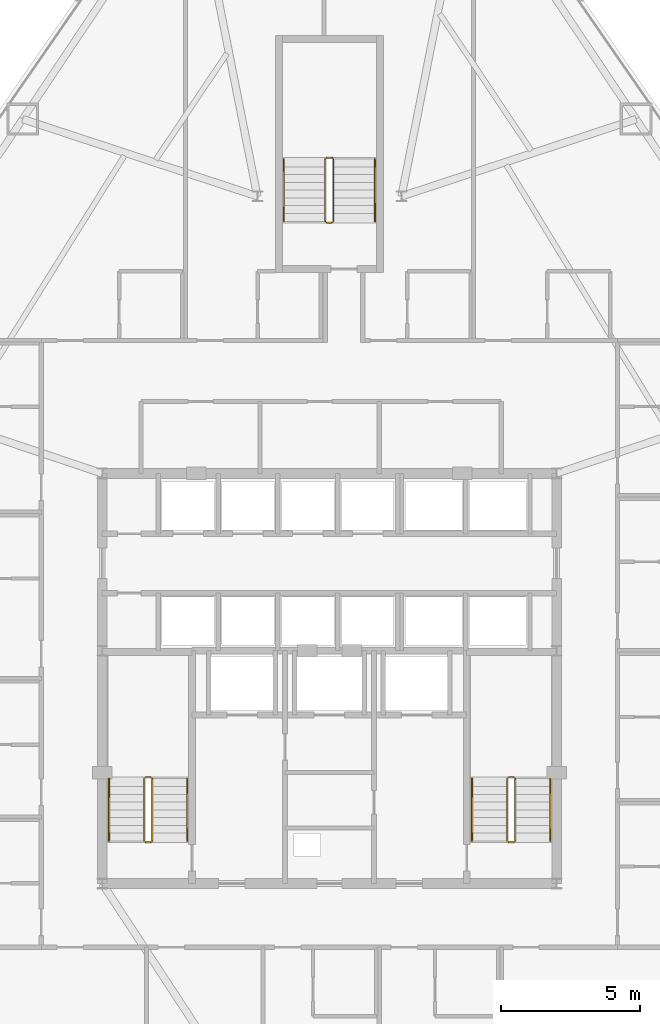
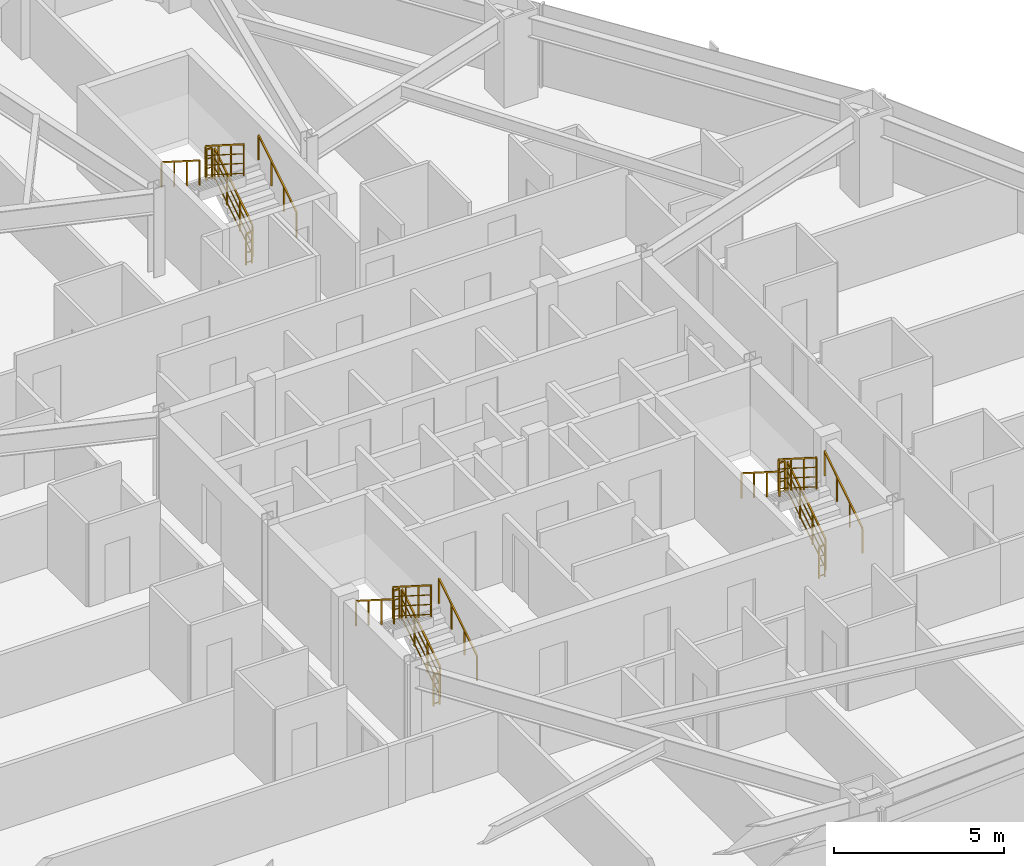
# One storey, part 13 of 13: 18 railings.
"""IFC4 building model written with IfcOpenShell, lengths in metres."""

from ifc_helpers import new_model, si_unit, direction, frame, origin, origin_2d, place, context, subcontext, project, spatial, rectangle, extrude, material, type_object, element, save


model = new_model("IFC4")

# Units and contexts
model_context = context("Model", 3, precision=1e-05, world=origin(), true_north=direction((0.0, 1.0)))
body_context = subcontext(model_context, "Body", "Model", "MODEL_VIEW")
ifc_project = project(units=[si_unit("LENGTHUNIT", "METRE"), si_unit("AREAUNIT", "SQUARE_METRE"), si_unit("VOLUMEUNIT", "CUBIC_METRE"), si_unit("PLANEANGLEUNIT", "RADIAN"), si_unit("MASSUNIT", "GRAM", prefix="KILO")], contexts=[model_context])

# Site, building, storey
site_placement = place(None, origin())
site = spatial("IfcSite", under=ifc_project, at=site_placement, CompositionType="ELEMENT")
building_placement = place(site_placement, origin())
building = spatial("IfcBuilding", under=site, at=building_placement, Name="Varakhsha Concourse Tower", CompositionType="ELEMENT")
storey_placement = place(building_placement, frame((0.0, 0.0, 52.800048828125)))
storey = spatial("IfcBuildingStorey", under=building, at=storey_placement, Name="L14", CompositionType="ELEMENT", Elevation=52.800048828125)

# Railings
ifc_material = material(Name="Brushed Austenitic Stainless Steel AISI 316", Category="steel")
railing_type_1 = type_object("IfcRailingType", Name="RL-STAIR-GUARD-1100", PredefinedType="GUARDRAIL", material=ifc_material)
railing_1_placement = place(storey_placement, frame((33.610107421875, 17.93994140625, 0.177734375)))
element("IfcRailing", 1, at=railing_1_placement, inside=storey, type_object=railing_type_1, Name="L14 ST1 stair guard 1", PredefinedType="GUARDRAIL", context=body_context, shape_type="SweptSolid", body=[
    extrude(rectangle(XDim=0.048095703125, YDim=0.048095703125, at=origin_2d()), frame((0.0, 0.0, 1.1259765625), z_axis=(0.0, 0.8442293374, 0.53598211339), x_axis=(-1.0, 0.0, 0.0)), (0.0, 0.0, 1.0), 2.6533203125),
    extrude(rectangle(XDim=0.028076171875, YDim=0.028076171875, at=origin_2d()), frame((0.0, 0.0, 0.080078125), z_axis=(0.0, 0.8442293374, 0.53598211339), x_axis=(-1.0, 0.0, 0.0)), (0.0, 0.0, 1.0), 2.6533203125),
    extrude(rectangle(XDim=0.028076171875, YDim=0.028076171875, at=origin_2d()), frame((0.0, 0.0, 0.43701171875), z_axis=(0.0, 0.8442293374, 0.53598211339), x_axis=(-1.0, 0.0, 0.0)), (0.0, 0.0, 1.0), 2.6533203125),
    extrude(rectangle(XDim=0.028076171875, YDim=0.028076171875, at=origin_2d()), frame((0.0, 0.0, 0.781982421875), z_axis=(0.0, 0.8442293374, 0.53598211339), x_axis=(-1.0, 0.0, 0.0)), (0.0, 0.0, 1.0), 2.6533203125),
    extrude(rectangle(XDim=0.0419921875, YDim=0.0419921875, at=origin_2d()), origin(), (0.0, 0.0, 1.0), 1.101806640625),
    extrude(rectangle(XDim=0.0419921875, YDim=0.0419921875, at=origin_2d()), frame((0.0, 0.74658203125, 0.47412109375)), (0.0, 0.0, 1.0), 1.101806640625),
    extrude(rectangle(XDim=0.0419921875, YDim=0.0419921875, at=origin_2d()), frame((0.0, 1.493408203125, 0.947998046875)), (0.0, 0.0, 1.0), 1.101806640625),
    extrude(rectangle(XDim=0.0419921875, YDim=0.0419921875, at=origin_2d()), frame((0.0, 2.239990234375, 1.422119140625)), (0.0, 0.0, 1.0), 1.101806640625),
])
railing_2_placement = place(storey_placement, frame((33.56005859375, 20.22998046875, 1.599853515625)))
element("IfcRailing", 2, at=railing_2_placement, inside=storey, type_object=railing_type_1, Name="L14 ST1 stair guard 2", PredefinedType="GUARDRAIL", context=body_context, shape_type="SweptSolid", body=[
    extrude(rectangle(XDim=0.048095703125, YDim=0.048095703125, at=origin_2d()), frame((0.0, 0.0, 1.1259765625), z_axis=(-1.0, 0.0, 0.0), x_axis=(0.0, -1.0, 0.0)), (0.0, 0.0, 1.0), 0.199951171875),
    extrude(rectangle(XDim=0.028076171875, YDim=0.028076171875, at=origin_2d()), frame((0.0, 0.0, 0.080078125), z_axis=(-1.0, 0.0, 0.0), x_axis=(0.0, -1.0, 0.0)), (0.0, 0.0, 1.0), 0.199951171875),
    extrude(rectangle(XDim=0.028076171875, YDim=0.028076171875, at=origin_2d()), frame((0.0, 0.0, 0.43701171875), z_axis=(-1.0, 0.0, 0.0), x_axis=(0.0, -1.0, 0.0)), (0.0, 0.0, 1.0), 0.199951171875),
    extrude(rectangle(XDim=0.028076171875, YDim=0.028076171875, at=origin_2d()), frame((0.0, 0.0, 0.781982421875), z_axis=(-1.0, 0.0, 0.0), x_axis=(0.0, -1.0, 0.0)), (0.0, 0.0, 1.0), 0.199951171875),
    extrude(rectangle(XDim=0.0419921875, YDim=0.0419921875, at=origin_2d()), origin(), (0.0, 0.0, 1.0), 1.101806640625),
    extrude(rectangle(XDim=0.0419921875, YDim=0.0419921875, at=origin_2d()), frame((-0.199951171875, 0.0, 0.0)), (0.0, 0.0, 1.0), 1.101806640625),
])
railing_3_placement = place(storey_placement, frame((33.31005859375, 20.179931640625, 1.77783203125)))
element("IfcRailing", 3, at=railing_3_placement, inside=storey, type_object=railing_type_1, Name="L14 ST1 stair guard 3", PredefinedType="GUARDRAIL", context=body_context, shape_type="SweptSolid", body=[
    extrude(rectangle(XDim=0.048095703125, YDim=0.048095703125, at=origin_2d()), frame((0.0, 0.0, 1.1259765625), z_axis=(0.0, -0.8442293374, 0.53598211339), x_axis=(1.0, 0.0, 0.0)), (0.0, 0.0, 1.0), 2.6533203125),
    extrude(rectangle(XDim=0.028076171875, YDim=0.028076171875, at=origin_2d()), frame((0.0, 0.0, 0.080078125), z_axis=(0.0, -0.8442293374, 0.53598211339), x_axis=(1.0, 0.0, 0.0)), (0.0, 0.0, 1.0), 2.6533203125),
    extrude(rectangle(XDim=0.028076171875, YDim=0.028076171875, at=origin_2d()), frame((0.0, 0.0, 0.43701171875), z_axis=(0.0, -0.8442293374, 0.53598211339), x_axis=(1.0, 0.0, 0.0)), (0.0, 0.0, 1.0), 2.6533203125),
    extrude(rectangle(XDim=0.028076171875, YDim=0.028076171875, at=origin_2d()), frame((0.0, 0.0, 0.781982421875), z_axis=(0.0, -0.8442293374, 0.53598211339), x_axis=(1.0, 0.0, 0.0)), (0.0, 0.0, 1.0), 2.6533203125),
    extrude(rectangle(XDim=0.0419921875, YDim=0.0419921875, at=origin_2d()), origin(), (0.0, 0.0, 1.0), 1.101806640625),
    extrude(rectangle(XDim=0.0419921875, YDim=0.0419921875, at=origin_2d()), frame((0.0, -0.74658203125, 0.47412109375)), (0.0, 0.0, 1.0), 1.101806640625),
    extrude(rectangle(XDim=0.0419921875, YDim=0.0419921875, at=origin_2d()), frame((0.0, -1.493408203125, 0.947998046875)), (0.0, 0.0, 1.0), 1.101806640625),
    extrude(rectangle(XDim=0.0419921875, YDim=0.0419921875, at=origin_2d()), frame((0.0, -2.239990234375, 1.422119140625)), (0.0, 0.0, 1.0), 1.101806640625),
])
railing_4_placement = place(storey_placement, frame((33.56005859375, 17.889892578125, 0.0)))
element("IfcRailing", 4, at=railing_4_placement, inside=storey, type_object=railing_type_1, Name="L14 ST1 stair guard 4", PredefinedType="GUARDRAIL", context=body_context, shape_type="SweptSolid", body=[
    extrude(rectangle(XDim=0.048095703125, YDim=0.048095703125, at=origin_2d()), frame((0.0, 0.0, 1.1259765625), z_axis=(-1.0, 0.0, 0.0), x_axis=(0.0, -1.0, 0.0)), (0.0, 0.0, 1.0), 0.199951171875),
    extrude(rectangle(XDim=0.028076171875, YDim=0.028076171875, at=origin_2d()), frame((0.0, 0.0, 0.080078125), z_axis=(-1.0, 0.0, 0.0), x_axis=(0.0, -1.0, 0.0)), (0.0, 0.0, 1.0), 0.199951171875),
    extrude(rectangle(XDim=0.028076171875, YDim=0.028076171875, at=origin_2d()), frame((0.0, 0.0, 0.43701171875), z_axis=(-1.0, 0.0, 0.0), x_axis=(0.0, -1.0, 0.0)), (0.0, 0.0, 1.0), 0.199951171875),
    extrude(rectangle(XDim=0.028076171875, YDim=0.028076171875, at=origin_2d()), frame((0.0, 0.0, 0.781982421875), z_axis=(-1.0, 0.0, 0.0), x_axis=(0.0, -1.0, 0.0)), (0.0, 0.0, 1.0), 0.199951171875),
    extrude(rectangle(XDim=0.0419921875, YDim=0.0419921875, at=origin_2d()), origin(), (0.0, 0.0, 1.0), 1.101806640625),
    extrude(rectangle(XDim=0.0419921875, YDim=0.0419921875, at=origin_2d()), frame((-0.199951171875, 0.0, 0.0)), (0.0, 0.0, 1.0), 1.101806640625),
])
railing_5_placement = place(storey_placement, frame((46.7099609375, 17.93994140625, 0.177734375)))
element("IfcRailing", 5, at=railing_5_placement, inside=storey, type_object=railing_type_1, Name="L14 ST2 stair guard 1", PredefinedType="GUARDRAIL", context=body_context, shape_type="SweptSolid", body=[
    extrude(rectangle(XDim=0.048095703125, YDim=0.048095703125, at=origin_2d()), frame((0.0, 0.0, 1.1259765625), z_axis=(0.0, 0.8442293374, 0.53598211339), x_axis=(-1.0, 0.0, 0.0)), (0.0, 0.0, 1.0), 2.6533203125),
    extrude(rectangle(XDim=0.028076171875, YDim=0.028076171875, at=origin_2d()), frame((0.0, 0.0, 0.080078125), z_axis=(0.0, 0.8442293374, 0.53598211339), x_axis=(-1.0, 0.0, 0.0)), (0.0, 0.0, 1.0), 2.6533203125),
    extrude(rectangle(XDim=0.028076171875, YDim=0.028076171875, at=origin_2d()), frame((0.0, 0.0, 0.43701171875), z_axis=(0.0, 0.8442293374, 0.53598211339), x_axis=(-1.0, 0.0, 0.0)), (0.0, 0.0, 1.0), 2.6533203125),
    extrude(rectangle(XDim=0.028076171875, YDim=0.028076171875, at=origin_2d()), frame((0.0, 0.0, 0.781982421875), z_axis=(0.0, 0.8442293374, 0.53598211339), x_axis=(-1.0, 0.0, 0.0)), (0.0, 0.0, 1.0), 2.6533203125),
    extrude(rectangle(XDim=0.0419921875, YDim=0.0419921875, at=origin_2d()), origin(), (0.0, 0.0, 1.0), 1.101806640625),
    extrude(rectangle(XDim=0.0419921875, YDim=0.0419921875, at=origin_2d()), frame((0.0, 0.74658203125, 0.47412109375)), (0.0, 0.0, 1.0), 1.101806640625),
    extrude(rectangle(XDim=0.0419921875, YDim=0.0419921875, at=origin_2d()), frame((0.0, 1.493408203125, 0.947998046875)), (0.0, 0.0, 1.0), 1.101806640625),
    extrude(rectangle(XDim=0.0419921875, YDim=0.0419921875, at=origin_2d()), frame((0.0, 2.239990234375, 1.422119140625)), (0.0, 0.0, 1.0), 1.101806640625),
])
railing_6_placement = place(storey_placement, frame((46.659912109375, 20.22998046875, 1.599853515625)))
element("IfcRailing", 6, at=railing_6_placement, inside=storey, type_object=railing_type_1, Name="L14 ST2 stair guard 2", PredefinedType="GUARDRAIL", context=body_context, shape_type="SweptSolid", body=[
    extrude(rectangle(XDim=0.048095703125, YDim=0.048095703125, at=origin_2d()), frame((0.0, 0.0, 1.1259765625), z_axis=(-1.0, 0.0, 0.0), x_axis=(0.0, -1.0, 0.0)), (0.0, 0.0, 1.0), 0.199951171875),
    extrude(rectangle(XDim=0.028076171875, YDim=0.028076171875, at=origin_2d()), frame((0.0, 0.0, 0.080078125), z_axis=(-1.0, 0.0, 0.0), x_axis=(0.0, -1.0, 0.0)), (0.0, 0.0, 1.0), 0.199951171875),
    extrude(rectangle(XDim=0.028076171875, YDim=0.028076171875, at=origin_2d()), frame((0.0, 0.0, 0.43701171875), z_axis=(-1.0, 0.0, 0.0), x_axis=(0.0, -1.0, 0.0)), (0.0, 0.0, 1.0), 0.199951171875),
    extrude(rectangle(XDim=0.028076171875, YDim=0.028076171875, at=origin_2d()), frame((0.0, 0.0, 0.781982421875), z_axis=(-1.0, 0.0, 0.0), x_axis=(0.0, -1.0, 0.0)), (0.0, 0.0, 1.0), 0.199951171875),
    extrude(rectangle(XDim=0.0419921875, YDim=0.0419921875, at=origin_2d()), origin(), (0.0, 0.0, 1.0), 1.101806640625),
    extrude(rectangle(XDim=0.0419921875, YDim=0.0419921875, at=origin_2d()), frame((-0.199951171875, 0.0, 0.0)), (0.0, 0.0, 1.0), 1.101806640625),
])
railing_7_placement = place(storey_placement, frame((46.409912109375, 20.179931640625, 1.77783203125)))
element("IfcRailing", 7, at=railing_7_placement, inside=storey, type_object=railing_type_1, Name="L14 ST2 stair guard 3", PredefinedType="GUARDRAIL", context=body_context, shape_type="SweptSolid", body=[
    extrude(rectangle(XDim=0.048095703125, YDim=0.048095703125, at=origin_2d()), frame((0.0, 0.0, 1.1259765625), z_axis=(0.0, -0.8442293374, 0.53598211339), x_axis=(1.0, 0.0, 0.0)), (0.0, 0.0, 1.0), 2.6533203125),
    extrude(rectangle(XDim=0.028076171875, YDim=0.028076171875, at=origin_2d()), frame((0.0, 0.0, 0.080078125), z_axis=(0.0, -0.8442293374, 0.53598211339), x_axis=(1.0, 0.0, 0.0)), (0.0, 0.0, 1.0), 2.6533203125),
    extrude(rectangle(XDim=0.028076171875, YDim=0.028076171875, at=origin_2d()), frame((0.0, 0.0, 0.43701171875), z_axis=(0.0, -0.8442293374, 0.53598211339), x_axis=(1.0, 0.0, 0.0)), (0.0, 0.0, 1.0), 2.6533203125),
    extrude(rectangle(XDim=0.028076171875, YDim=0.028076171875, at=origin_2d()), frame((0.0, 0.0, 0.781982421875), z_axis=(0.0, -0.8442293374, 0.53598211339), x_axis=(1.0, 0.0, 0.0)), (0.0, 0.0, 1.0), 2.6533203125),
    extrude(rectangle(XDim=0.0419921875, YDim=0.0419921875, at=origin_2d()), origin(), (0.0, 0.0, 1.0), 1.101806640625),
    extrude(rectangle(XDim=0.0419921875, YDim=0.0419921875, at=origin_2d()), frame((0.0, -0.74658203125, 0.47412109375)), (0.0, 0.0, 1.0), 1.101806640625),
    extrude(rectangle(XDim=0.0419921875, YDim=0.0419921875, at=origin_2d()), frame((0.0, -1.493408203125, 0.947998046875)), (0.0, 0.0, 1.0), 1.101806640625),
    extrude(rectangle(XDim=0.0419921875, YDim=0.0419921875, at=origin_2d()), frame((0.0, -2.239990234375, 1.422119140625)), (0.0, 0.0, 1.0), 1.101806640625),
])
railing_8_placement = place(storey_placement, frame((46.659912109375, 17.889892578125, 0.0)))
element("IfcRailing", 8, at=railing_8_placement, inside=storey, type_object=railing_type_1, Name="L14 ST2 stair guard 4", PredefinedType="GUARDRAIL", context=body_context, shape_type="SweptSolid", body=[
    extrude(rectangle(XDim=0.048095703125, YDim=0.048095703125, at=origin_2d()), frame((0.0, 0.0, 1.1259765625), z_axis=(-1.0, 0.0, 0.0), x_axis=(0.0, -1.0, 0.0)), (0.0, 0.0, 1.0), 0.199951171875),
    extrude(rectangle(XDim=0.028076171875, YDim=0.028076171875, at=origin_2d()), frame((0.0, 0.0, 0.080078125), z_axis=(-1.0, 0.0, 0.0), x_axis=(0.0, -1.0, 0.0)), (0.0, 0.0, 1.0), 0.199951171875),
    extrude(rectangle(XDim=0.028076171875, YDim=0.028076171875, at=origin_2d()), frame((0.0, 0.0, 0.43701171875), z_axis=(-1.0, 0.0, 0.0), x_axis=(0.0, -1.0, 0.0)), (0.0, 0.0, 1.0), 0.199951171875),
    extrude(rectangle(XDim=0.028076171875, YDim=0.028076171875, at=origin_2d()), frame((0.0, 0.0, 0.781982421875), z_axis=(-1.0, 0.0, 0.0), x_axis=(0.0, -1.0, 0.0)), (0.0, 0.0, 1.0), 0.199951171875),
    extrude(rectangle(XDim=0.0419921875, YDim=0.0419921875, at=origin_2d()), origin(), (0.0, 0.0, 1.0), 1.101806640625),
    extrude(rectangle(XDim=0.0419921875, YDim=0.0419921875, at=origin_2d()), frame((-0.199951171875, 0.0, 0.0)), (0.0, 0.0, 1.0), 1.101806640625),
])
railing_9_placement = place(storey_placement, frame((40.14990234375, 40.300048828125, 0.177734375)))
element("IfcRailing", 9, at=railing_9_placement, inside=storey, type_object=railing_type_1, Name="L14 ST5 stair guard 1", PredefinedType="GUARDRAIL", context=body_context, shape_type="SweptSolid", body=[
    extrude(rectangle(XDim=0.048095703125, YDim=0.048095703125, at=origin_2d()), frame((0.0, 0.0, 1.1259765625), z_axis=(0.0, 0.8442293374, 0.53598211339), x_axis=(-1.0, 0.0, 0.0)), (0.0, 0.0, 1.0), 2.6533203125),
    extrude(rectangle(XDim=0.028076171875, YDim=0.028076171875, at=origin_2d()), frame((0.0, 0.0, 0.080078125), z_axis=(0.0, 0.8442293374, 0.53598211339), x_axis=(-1.0, 0.0, 0.0)), (0.0, 0.0, 1.0), 2.6533203125),
    extrude(rectangle(XDim=0.028076171875, YDim=0.028076171875, at=origin_2d()), frame((0.0, 0.0, 0.43701171875), z_axis=(0.0, 0.8442293374, 0.53598211339), x_axis=(-1.0, 0.0, 0.0)), (0.0, 0.0, 1.0), 2.6533203125),
    extrude(rectangle(XDim=0.028076171875, YDim=0.028076171875, at=origin_2d()), frame((0.0, 0.0, 0.781982421875), z_axis=(0.0, 0.8442293374, 0.53598211339), x_axis=(-1.0, 0.0, 0.0)), (0.0, 0.0, 1.0), 2.6533203125),
    extrude(rectangle(XDim=0.0419921875, YDim=0.0419921875, at=origin_2d()), origin(), (0.0, 0.0, 1.0), 1.101806640625),
    extrude(rectangle(XDim=0.0419921875, YDim=0.0419921875, at=origin_2d()), frame((0.0, 0.74658203125, 0.47412109375)), (0.0, 0.0, 1.0), 1.101806640625),
    extrude(rectangle(XDim=0.0419921875, YDim=0.0419921875, at=origin_2d()), frame((0.0, 1.493408203125, 0.947998046875)), (0.0, 0.0, 1.0), 1.101806640625),
    extrude(rectangle(XDim=0.0419921875, YDim=0.0419921875, at=origin_2d()), frame((0.0, 2.239990234375, 1.422119140625)), (0.0, 0.0, 1.0), 1.101806640625),
])
railing_10_placement = place(storey_placement, frame((40.10009765625, 42.590087890625, 1.599853515625)))
element("IfcRailing", 10, at=railing_10_placement, inside=storey, type_object=railing_type_1, Name="L14 ST5 stair guard 2", PredefinedType="GUARDRAIL", context=body_context, shape_type="SweptSolid", body=[
    extrude(rectangle(XDim=0.048095703125, YDim=0.048095703125, at=origin_2d()), frame((0.0, 0.0, 1.1259765625), z_axis=(-1.0, 0.0, 0.0), x_axis=(0.0, -1.0, 0.0)), (0.0, 0.0, 1.0), 0.2001953125),
    extrude(rectangle(XDim=0.028076171875, YDim=0.028076171875, at=origin_2d()), frame((0.0, 0.0, 0.080078125), z_axis=(-1.0, 0.0, 0.0), x_axis=(0.0, -1.0, 0.0)), (0.0, 0.0, 1.0), 0.2001953125),
    extrude(rectangle(XDim=0.028076171875, YDim=0.028076171875, at=origin_2d()), frame((0.0, 0.0, 0.43701171875), z_axis=(-1.0, 0.0, 0.0), x_axis=(0.0, -1.0, 0.0)), (0.0, 0.0, 1.0), 0.2001953125),
    extrude(rectangle(XDim=0.028076171875, YDim=0.028076171875, at=origin_2d()), frame((0.0, 0.0, 0.781982421875), z_axis=(-1.0, 0.0, 0.0), x_axis=(0.0, -1.0, 0.0)), (0.0, 0.0, 1.0), 0.2001953125),
    extrude(rectangle(XDim=0.0419921875, YDim=0.0419921875, at=origin_2d()), origin(), (0.0, 0.0, 1.0), 1.101806640625),
    extrude(rectangle(XDim=0.0419921875, YDim=0.0419921875, at=origin_2d()), frame((-0.2001953125, 0.0, 0.0)), (0.0, 0.0, 1.0), 1.101806640625),
])
railing_11_placement = place(storey_placement, frame((39.85009765625, 42.5400390625, 1.77783203125)))
element("IfcRailing", 11, at=railing_11_placement, inside=storey, type_object=railing_type_1, Name="L14 ST5 stair guard 3", PredefinedType="GUARDRAIL", context=body_context, shape_type="SweptSolid", body=[
    extrude(rectangle(XDim=0.048095703125, YDim=0.048095703125, at=origin_2d()), frame((0.0, 0.0, 1.1259765625), z_axis=(0.0, -0.8442293374, 0.53598211339), x_axis=(1.0, 0.0, 0.0)), (0.0, 0.0, 1.0), 2.6533203125),
    extrude(rectangle(XDim=0.028076171875, YDim=0.028076171875, at=origin_2d()), frame((0.0, 0.0, 0.080078125), z_axis=(0.0, -0.8442293374, 0.53598211339), x_axis=(1.0, 0.0, 0.0)), (0.0, 0.0, 1.0), 2.6533203125),
    extrude(rectangle(XDim=0.028076171875, YDim=0.028076171875, at=origin_2d()), frame((0.0, 0.0, 0.43701171875), z_axis=(0.0, -0.8442293374, 0.53598211339), x_axis=(1.0, 0.0, 0.0)), (0.0, 0.0, 1.0), 2.6533203125),
    extrude(rectangle(XDim=0.028076171875, YDim=0.028076171875, at=origin_2d()), frame((0.0, 0.0, 0.781982421875), z_axis=(0.0, -0.8442293374, 0.53598211339), x_axis=(1.0, 0.0, 0.0)), (0.0, 0.0, 1.0), 2.6533203125),
    extrude(rectangle(XDim=0.0419921875, YDim=0.0419921875, at=origin_2d()), origin(), (0.0, 0.0, 1.0), 1.101806640625),
    extrude(rectangle(XDim=0.0419921875, YDim=0.0419921875, at=origin_2d()), frame((0.0, -0.74658203125, 0.47412109375)), (0.0, 0.0, 1.0), 1.101806640625),
    extrude(rectangle(XDim=0.0419921875, YDim=0.0419921875, at=origin_2d()), frame((0.0, -1.493408203125, 0.947998046875)), (0.0, 0.0, 1.0), 1.101806640625),
    extrude(rectangle(XDim=0.0419921875, YDim=0.0419921875, at=origin_2d()), frame((0.0, -2.239990234375, 1.422119140625)), (0.0, 0.0, 1.0), 1.101806640625),
])
railing_12_placement = place(storey_placement, frame((40.10009765625, 40.25, 0.0)))
element("IfcRailing", 12, at=railing_12_placement, inside=storey, type_object=railing_type_1, Name="L14 ST5 stair guard 4", PredefinedType="GUARDRAIL", context=body_context, shape_type="SweptSolid", body=[
    extrude(rectangle(XDim=0.048095703125, YDim=0.048095703125, at=origin_2d()), frame((0.0, 0.0, 1.1259765625), z_axis=(-1.0, 0.0, 0.0), x_axis=(0.0, -1.0, 0.0)), (0.0, 0.0, 1.0), 0.2001953125),
    extrude(rectangle(XDim=0.028076171875, YDim=0.028076171875, at=origin_2d()), frame((0.0, 0.0, 0.080078125), z_axis=(-1.0, 0.0, 0.0), x_axis=(0.0, -1.0, 0.0)), (0.0, 0.0, 1.0), 0.2001953125),
    extrude(rectangle(XDim=0.028076171875, YDim=0.028076171875, at=origin_2d()), frame((0.0, 0.0, 0.43701171875), z_axis=(-1.0, 0.0, 0.0), x_axis=(0.0, -1.0, 0.0)), (0.0, 0.0, 1.0), 0.2001953125),
    extrude(rectangle(XDim=0.028076171875, YDim=0.028076171875, at=origin_2d()), frame((0.0, 0.0, 0.781982421875), z_axis=(-1.0, 0.0, 0.0), x_axis=(0.0, -1.0, 0.0)), (0.0, 0.0, 1.0), 0.2001953125),
    extrude(rectangle(XDim=0.0419921875, YDim=0.0419921875, at=origin_2d()), origin(), (0.0, 0.0, 1.0), 1.101806640625),
    extrude(rectangle(XDim=0.0419921875, YDim=0.0419921875, at=origin_2d()), frame((-0.2001953125, 0.0, 0.0)), (0.0, 0.0, 1.0), 1.101806640625),
])
railing_type_2 = type_object("IfcRailingType", Name="RL-STAIR-RAIL-915", PredefinedType="HANDRAIL", material=ifc_material)
railing_13_placement = place(storey_placement, frame((34.8701171875, 17.93994140625, 0.35546875)))
element("IfcRailing", 13, at=railing_13_placement, inside=storey, type_object=railing_type_2, Name="L14 ST1 stair handrail 1", PredefinedType="HANDRAIL", context=body_context, shape_type="SweptSolid", body=[
    extrude(rectangle(XDim=0.048095703125, YDim=0.048095703125, at=origin_2d()), frame((0.0, 0.0, 0.89111328125), z_axis=(0.0, 0.84418770128, 0.536047689118), x_axis=(-1.0, 0.0, 0.0)), (0.0, 0.0, 1.0), 2.6533203125),
    extrude(rectangle(XDim=0.0419921875, YDim=0.0419921875, at=origin_2d()), origin(), (0.0, 0.0, 1.0), 0.866943359375),
    extrude(rectangle(XDim=0.0419921875, YDim=0.0419921875, at=origin_2d()), frame((0.0, 0.74658203125, 0.47412109375)), (0.0, 0.0, 1.0), 0.866943359375),
    extrude(rectangle(XDim=0.0419921875, YDim=0.0419921875, at=origin_2d()), frame((0.0, 1.493408203125, 0.9482421875)), (0.0, 0.0, 1.0), 0.866943359375),
    extrude(rectangle(XDim=0.0419921875, YDim=0.0419921875, at=origin_2d()), frame((0.0, 2.239990234375, 1.42236328125)), (0.0, 0.0, 1.0), 0.866943359375),
])
railing_14_placement = place(storey_placement, frame((32.050048828125, 20.179931640625, 1.95556640625)))
element("IfcRailing", 14, at=railing_14_placement, inside=storey, type_object=railing_type_2, Name="L14 ST1 stair handrail 2", PredefinedType="HANDRAIL", context=body_context, shape_type="SweptSolid", body=[
    extrude(rectangle(XDim=0.048095703125, YDim=0.048095703125, at=origin_2d()), frame((0.0, 0.0, 0.89111328125), z_axis=(0.0, -0.8442293374, 0.53598211339), x_axis=(1.0, 0.0, 0.0)), (0.0, 0.0, 1.0), 2.6533203125),
    extrude(rectangle(XDim=0.0419921875, YDim=0.0419921875, at=origin_2d()), origin(), (0.0, 0.0, 1.0), 0.866943359375),
    extrude(rectangle(XDim=0.0419921875, YDim=0.0419921875, at=origin_2d()), frame((0.0, -0.74658203125, 0.47412109375)), (0.0, 0.0, 1.0), 0.866943359375),
    extrude(rectangle(XDim=0.0419921875, YDim=0.0419921875, at=origin_2d()), frame((0.0, -1.493408203125, 0.947998046875)), (0.0, 0.0, 1.0), 0.866943359375),
    extrude(rectangle(XDim=0.0419921875, YDim=0.0419921875, at=origin_2d()), frame((0.0, -2.239990234375, 1.422119140625)), (0.0, 0.0, 1.0), 0.866943359375),
])
railing_15_placement = place(storey_placement, frame((47.969970703125, 17.93994140625, 0.35546875)))
element("IfcRailing", 15, at=railing_15_placement, inside=storey, type_object=railing_type_2, Name="L14 ST2 stair handrail 1", PredefinedType="HANDRAIL", context=body_context, shape_type="SweptSolid", body=[
    extrude(rectangle(XDim=0.048095703125, YDim=0.048095703125, at=origin_2d()), frame((0.0, 0.0, 0.89111328125), z_axis=(0.0, 0.84418770128, 0.536047689118), x_axis=(-1.0, 0.0, 0.0)), (0.0, 0.0, 1.0), 2.6533203125),
    extrude(rectangle(XDim=0.0419921875, YDim=0.0419921875, at=origin_2d()), origin(), (0.0, 0.0, 1.0), 0.866943359375),
    extrude(rectangle(XDim=0.0419921875, YDim=0.0419921875, at=origin_2d()), frame((0.0, 0.74658203125, 0.47412109375)), (0.0, 0.0, 1.0), 0.866943359375),
    extrude(rectangle(XDim=0.0419921875, YDim=0.0419921875, at=origin_2d()), frame((0.0, 1.493408203125, 0.9482421875)), (0.0, 0.0, 1.0), 0.866943359375),
    extrude(rectangle(XDim=0.0419921875, YDim=0.0419921875, at=origin_2d()), frame((0.0, 2.239990234375, 1.42236328125)), (0.0, 0.0, 1.0), 0.866943359375),
])
railing_16_placement = place(storey_placement, frame((45.14990234375, 20.179931640625, 1.95556640625)))
element("IfcRailing", 16, at=railing_16_placement, inside=storey, type_object=railing_type_2, Name="L14 ST2 stair handrail 2", PredefinedType="HANDRAIL", context=body_context, shape_type="SweptSolid", body=[
    extrude(rectangle(XDim=0.048095703125, YDim=0.048095703125, at=origin_2d()), frame((0.0, 0.0, 0.89111328125), z_axis=(0.0, -0.8442293374, 0.53598211339), x_axis=(1.0, 0.0, 0.0)), (0.0, 0.0, 1.0), 2.6533203125),
    extrude(rectangle(XDim=0.0419921875, YDim=0.0419921875, at=origin_2d()), origin(), (0.0, 0.0, 1.0), 0.866943359375),
    extrude(rectangle(XDim=0.0419921875, YDim=0.0419921875, at=origin_2d()), frame((0.0, -0.74658203125, 0.47412109375)), (0.0, 0.0, 1.0), 0.866943359375),
    extrude(rectangle(XDim=0.0419921875, YDim=0.0419921875, at=origin_2d()), frame((0.0, -1.493408203125, 0.947998046875)), (0.0, 0.0, 1.0), 0.866943359375),
    extrude(rectangle(XDim=0.0419921875, YDim=0.0419921875, at=origin_2d()), frame((0.0, -2.239990234375, 1.422119140625)), (0.0, 0.0, 1.0), 0.866943359375),
])
railing_17_placement = place(storey_placement, frame((41.64990234375, 40.300048828125, 0.35546875)))
element("IfcRailing", 17, at=railing_17_placement, inside=storey, type_object=railing_type_2, Name="L14 ST5 stair handrail 1", PredefinedType="HANDRAIL", context=body_context, shape_type="SweptSolid", body=[
    extrude(rectangle(XDim=0.048095703125, YDim=0.048095703125, at=origin_2d()), frame((0.0, 0.0, 0.89111328125), z_axis=(0.0, 0.84418770128, 0.536047689118), x_axis=(-1.0, 0.0, 0.0)), (0.0, 0.0, 1.0), 2.6533203125),
    extrude(rectangle(XDim=0.0419921875, YDim=0.0419921875, at=origin_2d()), origin(), (0.0, 0.0, 1.0), 0.866943359375),
    extrude(rectangle(XDim=0.0419921875, YDim=0.0419921875, at=origin_2d()), frame((0.0, 0.74658203125, 0.47412109375)), (0.0, 0.0, 1.0), 0.866943359375),
    extrude(rectangle(XDim=0.0419921875, YDim=0.0419921875, at=origin_2d()), frame((0.0, 1.493408203125, 0.9482421875)), (0.0, 0.0, 1.0), 0.866943359375),
    extrude(rectangle(XDim=0.0419921875, YDim=0.0419921875, at=origin_2d()), frame((0.0, 2.239990234375, 1.42236328125)), (0.0, 0.0, 1.0), 0.866943359375),
])
railing_18_placement = place(storey_placement, frame((38.35009765625, 42.5400390625, 1.95556640625)))
element("IfcRailing", 18, at=railing_18_placement, inside=storey, type_object=railing_type_2, Name="L14 ST5 stair handrail 2", PredefinedType="HANDRAIL", context=body_context, shape_type="SweptSolid", body=[
    extrude(rectangle(XDim=0.048095703125, YDim=0.048095703125, at=origin_2d()), frame((0.0, 0.0, 0.89111328125), z_axis=(0.0, -0.8442293374, 0.53598211339), x_axis=(1.0, 0.0, 0.0)), (0.0, 0.0, 1.0), 2.6533203125),
    extrude(rectangle(XDim=0.0419921875, YDim=0.0419921875, at=origin_2d()), origin(), (0.0, 0.0, 1.0), 0.866943359375),
    extrude(rectangle(XDim=0.0419921875, YDim=0.0419921875, at=origin_2d()), frame((0.0, -0.74658203125, 0.47412109375)), (0.0, 0.0, 1.0), 0.866943359375),
    extrude(rectangle(XDim=0.0419921875, YDim=0.0419921875, at=origin_2d()), frame((0.0, -1.493408203125, 0.947998046875)), (0.0, 0.0, 1.0), 0.866943359375),
    extrude(rectangle(XDim=0.0419921875, YDim=0.0419921875, at=origin_2d()), frame((0.0, -2.239990234375, 1.422119140625)), (0.0, 0.0, 1.0), 0.866943359375),
])

save(model, "model.ifc")
